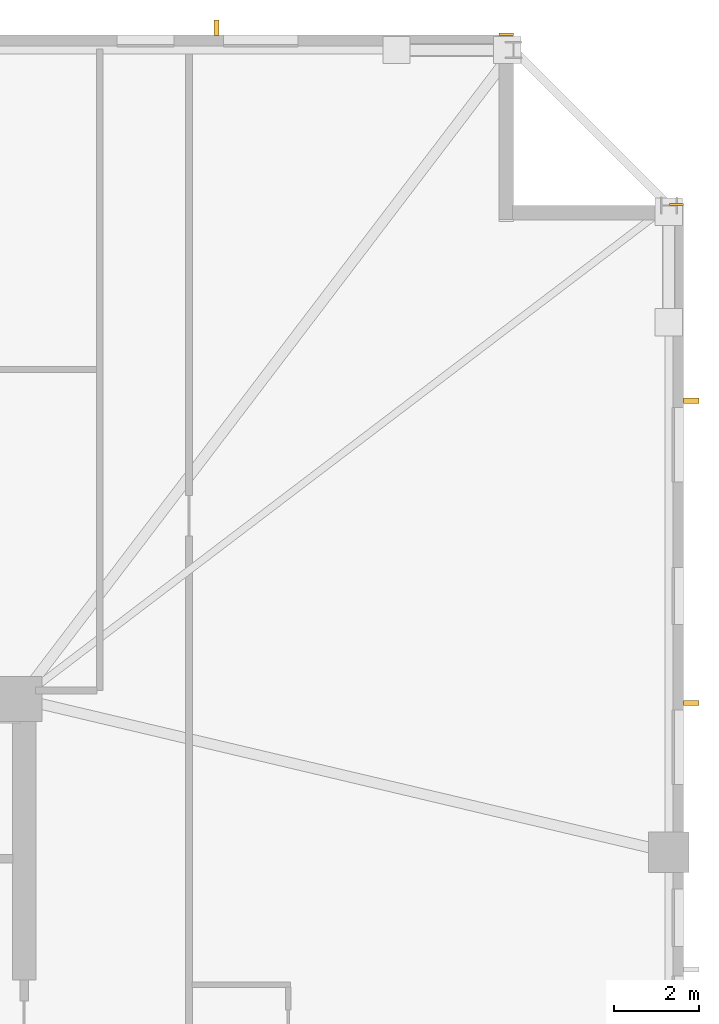
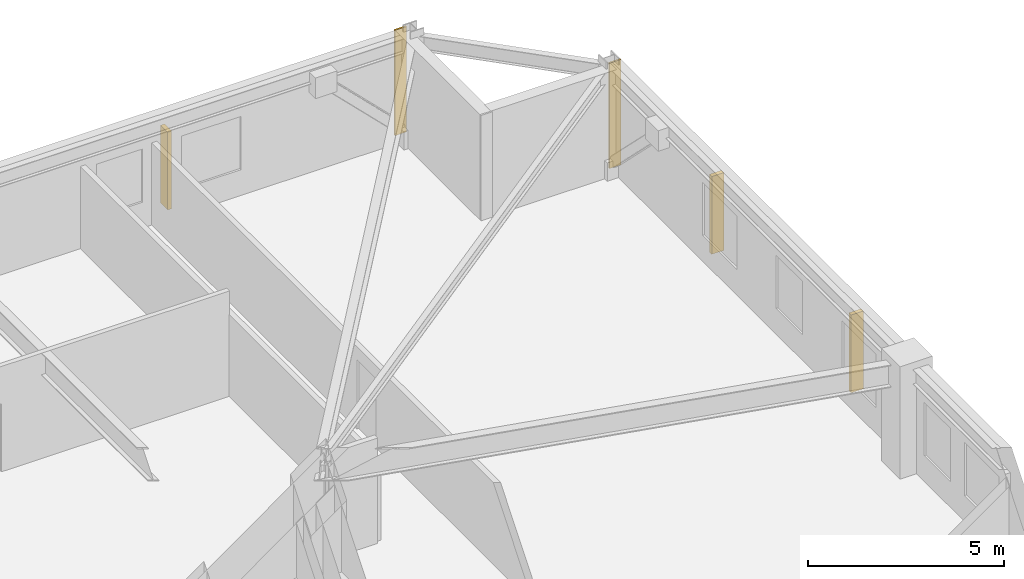
# One storey, part 10 of 10: 3 shading devices, 2 coverings.
"""IFC4 building model written with IfcOpenShell, lengths in metres."""

from ifc_helpers import new_model, si_unit, direction, frame, frame_2d, origin, origin_2d, place, context, subcontext, project, spatial, rectangle, extrude, material, layer, layer_set, type_object, element, save


model = new_model("IFC4")

# Units and contexts
model_context = context("Model", 3, precision=1e-05, world=origin(), true_north=direction((0.0, 1.0)))
body_context = subcontext(model_context, "Body", "Model", "MODEL_VIEW")
ifc_project = project(units=[si_unit("LENGTHUNIT", "METRE"), si_unit("AREAUNIT", "SQUARE_METRE"), si_unit("VOLUMEUNIT", "CUBIC_METRE"), si_unit("PLANEANGLEUNIT", "RADIAN"), si_unit("MASSUNIT", "GRAM", prefix="KILO")], contexts=[model_context])

# Site, building, storey
site_placement = place(None, origin())
site = spatial("IfcSite", under=ifc_project, at=site_placement, CompositionType="ELEMENT")
building_placement = place(site_placement, origin())
building = spatial("IfcBuilding", under=site, at=building_placement, Name="Cairnveth Concourse Tower", CompositionType="ELEMENT")
storey_placement = place(building_placement, frame((0.0, 0.0, 144.5)))
storey = spatial("IfcBuildingStorey", under=building, at=storey_placement, Name="L39", CompositionType="ELEMENT", Elevation=144.5)

# Coverings
ifc_material_1 = material(Name="Dressed Melbourne Bluestone Cladding", Category="masonry")
ifc_layer = layer(ifc_material_1, 0.050048828125)
ifc_layer_set = layer_set([ifc_layer], Name="Dressed Melbourne Bluestone Cladding")
covering_type = type_object("IfcCoveringType", Name="DRESSED BLUESTONE PLINTH CLADDING 50", PredefinedType="CLADDING", material=ifc_layer_set)
for number, where, z_axis, x_axis, name in (
    (1, (71.659912109375, 63.02001953125, 0.0), (0.0, 0.0, 1.0), (1.0, 0.0, 0.0), "Melbourne Bluestone Corner Quoin L39-570"),
    (2, (75.659912109375, 59.02001953125, 0.0), (0.0, 0.0, 1.0), (1.0, 0.0, 0.0), "Melbourne Bluestone Corner Quoin L39-572"),
):
    element("IfcCovering", number, at=place(storey_placement, frame(where, z_axis=z_axis, x_axis=x_axis)), inside=storey, type_object=covering_type, Name=name, PredefinedType="CLADDING", context=body_context, shape_type="SweptSolid", body=[
        extrude(rectangle(XDim=0.340087890625, YDim=0.050048828125, at=frame_2d((0.169921875, 0.0))), origin(), (0.0, 0.0, 1.0), 3.280029296875),
    ])

# Shading devices
ifc_material_2 = material(Name="Architectural Bronze Anodised Aluminium 6063-T6", Category="aluminium")
shading_device_type = type_object("IfcShadingDeviceType", Name="GOTHIC BRONZE VERTICAL LANCET FIN", PredefinedType="USERDEFINED", material=ifc_material_2)
for number, where, z_axis, x_axis, name in (
    (3, (65.020263671875, 63.175048828125, 0.030029296875), (0.0, 0.0, 1.0), (1.0, 0.0, 0.0), "Gothic Bronze Vertical Fin L39-6-9"),
    (4, (76.175048828125, 54.408203125, 0.030029296875), (0.0, 0.0, 1.0), (0.0, 1.0, 0.0), "Gothic Bronze Vertical Fin L39-9-1"),
    (5, (76.175048828125, 47.301025390625, 0.030029296875), (0.0, 0.0, 1.0), (0.0, 1.0, 0.0), "Gothic Bronze Vertical Fin L39-9-3"),
):
    element("IfcShadingDevice", number, at=place(storey_placement, frame(where, z_axis=z_axis, x_axis=x_axis)), inside=storey, type_object=shading_device_type, Name=name, ObjectType="VERTICAL FIN", PredefinedType="USERDEFINED", context=body_context, shape_type="SweptSolid", body=[
        extrude(rectangle(XDim=0.1201171875, YDim=0.360107421875, at=origin_2d()), origin(), (0.0, 0.0, 1.0), 2.419921875),
    ])

save(model, "model.ifc")
